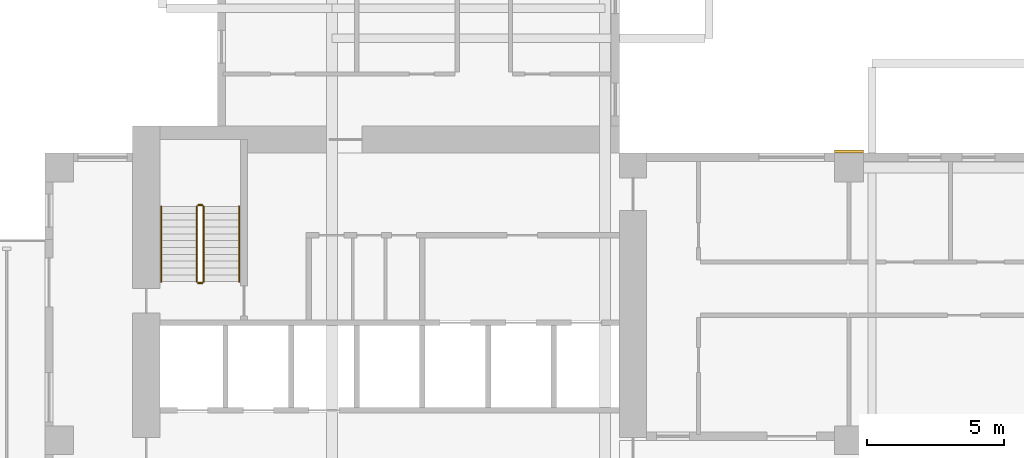
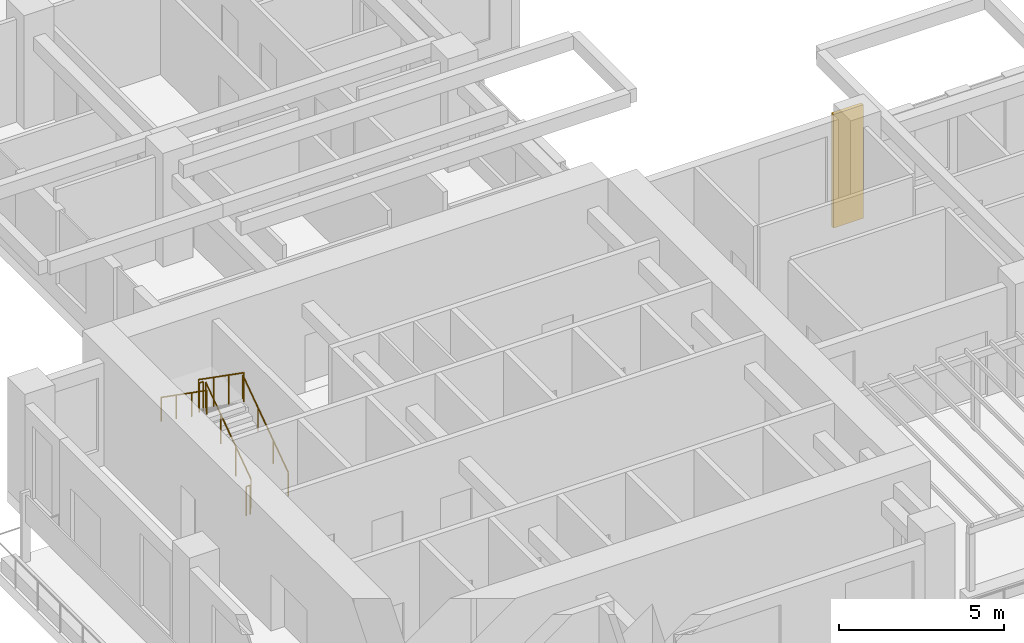
# One storey, part 12 of 15: 6 railings, 1 covering.
"""IFC4 building model written with IfcOpenShell, lengths in metres."""

import ifcopenshell
import ifcopenshell.guid

model = None  # the IFC model being written
_history = None  # IfcOwnerHistory: only IFC2X3 demands one
_inside = {}  # id of a spatial element -> (the spatial element, [elements in it])
_under = {}  # id of a project, library or spatial element -> (it, [spatial elements below it])
_declared = {}  # id of a project -> (the project, [libraries it declares])
_typed = {}  # id of a type object -> (the type object, [elements of that type])
_made_of = {}  # id of a material, layer set ... -> (it, [elements and type objects made of it])


def new_model(schema):
    """Start an empty IFC model of exactly this schema.

    Asked for "IFC4X3", IfcOpenShell would pick the latest addendum, in which some entities
    have other attributes; the version numbers below select the first issue.
    IFC2X3 requires an IfcOwnerHistory on every rooted entity: one is made here for all.
    """
    global model, _history
    if schema == "IFC4X3":
        model = ifcopenshell.file(schema_version=(4, 3, 0, 0))
    else:
        model = ifcopenshell.file(schema=schema)
    _inside.clear()
    _under.clear()
    _declared.clear()
    _typed.clear()
    _made_of.clear()
    _history = None
    if model.schema == "IFC2X3":
        org = make("IfcOrganization", Name="unknown")
        user = make(
            "IfcPersonAndOrganization",
            ThePerson=make("IfcPerson", FamilyName="unknown"),
            TheOrganization=org,
        )
        app = make(
            "IfcApplication",
            ApplicationDeveloper=org,
            Version="unknown",
            ApplicationFullName="unknown",
            ApplicationIdentifier="unknown",
        )
        _history = make(
            "IfcOwnerHistory",
            OwningUser=user,
            OwningApplication=app,
            ChangeAction="ADDED",
            CreationDate=0,
        )
    return model


def make(cls, **values):
    """One entity of the class cls with the attributes given. An attribute that is None is left unset."""
    return model.create_entity(
        cls, **{name: value for name, value in values.items() if value is not None}
    )


def rooted(cls, **values):
    """An entity with a GlobalId (a new one), such as an element, a storey or a relation."""
    return make(cls, GlobalId=ifcopenshell.guid.new(), OwnerHistory=_history, **values)


def si_unit(unit_type, name, prefix=None):
    """IfcSIUnit, for example si_unit("LENGTHUNIT", "METRE", prefix="MILLI")."""
    return make("IfcSIUnit", UnitType=unit_type, Prefix=prefix, Name=name)


def assignment(units):
    """IfcUnitAssignment: the units of a project."""
    return None if units is None else make("IfcUnitAssignment", Units=units)


def point(xyz):
    """IfcCartesianPoint."""
    return None if xyz is None else make("IfcCartesianPoint", Coordinates=xyz)


def direction(xyz):
    """IfcDirection."""
    return None if xyz is None else make("IfcDirection", DirectionRatios=xyz)


def frame(location, z_axis=None, x_axis=None):
    """IfcAxis2Placement3D, a coordinate frame: its origin and axes. An axis left out is left unset."""
    return make(
        "IfcAxis2Placement3D",
        Location=point(location),
        Axis=direction(z_axis),
        RefDirection=direction(x_axis),
    )


def frame_2d(location, x_axis=None):
    """IfcAxis2Placement2D, a coordinate frame in the plane: its origin and x axis."""
    return make(
        "IfcAxis2Placement2D", Location=point(location), RefDirection=direction(x_axis)
    )


def origin():
    """The frame at (0, 0, 0) with its axes left unset."""
    return frame((0.0, 0.0, 0.0))


def origin_2d():
    """The frame at (0, 0) in the plane with its x axis left unset."""
    return frame_2d((0.0, 0.0))


def place(relative_to, where):
    """IfcLocalPlacement: puts the frame where relative to a parent placement (None: the world)."""
    return make(
        "IfcLocalPlacement", PlacementRelTo=relative_to, RelativePlacement=where
    )


def context(
    kind, dimensions, precision=None, world=None, true_north=None, identifier=None
):
    """IfcGeometricRepresentationContext, for example the 3D "Model" context."""
    return make(
        "IfcGeometricRepresentationContext",
        ContextIdentifier=identifier,
        ContextType=kind,
        CoordinateSpaceDimension=dimensions,
        Precision=precision,
        WorldCoordinateSystem=world,
        TrueNorth=true_north,
    )


def subcontext(parent, identifier, kind, view, scale=None):
    """IfcGeometricRepresentationSubContext, for example "Body" below "Model"."""
    return make(
        "IfcGeometricRepresentationSubContext",
        ContextIdentifier=identifier,
        ContextType=kind,
        ParentContext=parent,
        TargetScale=scale,
        TargetView=view,
    )


def project(units=None, contexts=None):
    """IfcProject with its units and contexts."""
    return rooted(
        "IfcProject",
        Name="project",
        RepresentationContexts=contexts,
        UnitsInContext=assignment(units),
    )


def spatial(cls, under=None, at=None, **own):
    """A site, building, storey or space (cls), placed at a placement, below another one or the project."""
    s = rooted(cls, ObjectPlacement=at, **own)
    if under is not None:
        _under.setdefault(under.id(), (under, []))[1].append(s)
    return s


def profile(cls, at=None, kind="AREA", **sizes):
    """A parametric profile (cls). Its sizes go by their IFC names, for example OverallWidth=200.0."""
    return make(cls, ProfileType=kind, Position=at, **sizes)


def rectangle(**sizes):
    """IfcRectangleProfileDef."""
    return profile("IfcRectangleProfileDef", **sizes)


def circle(**sizes):
    """IfcCircleProfileDef."""
    return profile("IfcCircleProfileDef", **sizes)


def extrude(swept, where, along, depth):
    """IfcExtrudedAreaSolid: the profile swept, set in the frame where, extruded along a direction by depth."""
    return make(
        "IfcExtrudedAreaSolid",
        SweptArea=swept,
        Position=where,
        ExtrudedDirection=direction(along),
        Depth=depth,
    )


def shape(context_of_items, identifier, shape_type, items):
    """IfcShapeRepresentation: the items that make up one representation, for example the "Body"."""
    return make(
        "IfcShapeRepresentation",
        ContextOfItems=context_of_items,
        RepresentationIdentifier=identifier,
        RepresentationType=shape_type,
        Items=items,
    )


def source(mapping_origin, context_of_items, identifier, shape_type, items):
    """IfcRepresentationMap: a shape defined once, which mapped items show again and again."""
    return make(
        "IfcRepresentationMap",
        MappingOrigin=mapping_origin,
        MappedRepresentation=shape(context_of_items, identifier, shape_type, items),
    )


def transform(
    local_origin,
    x_axis=None,
    y_axis=None,
    z_axis=None,
    scale=None,
    scale2=None,
    scale3=None,
    uniform=True,
):
    """IfcCartesianTransformationOperator3D, or its non-uniform kind. x_axis, y_axis, z_axis: its Axis1, 2, 3."""
    if uniform:
        return make(
            "IfcCartesianTransformationOperator3D",
            Axis1=direction(x_axis),
            Axis2=direction(y_axis),
            LocalOrigin=point(local_origin),
            Scale=scale,
            Axis3=direction(z_axis),
        )
    return make(
        "IfcCartesianTransformationOperator3DnonUniform",
        Axis1=direction(x_axis),
        Axis2=direction(y_axis),
        LocalOrigin=point(local_origin),
        Scale=scale,
        Axis3=direction(z_axis),
        Scale2=scale2,
        Scale3=scale3,
    )


def mapped(mapping_source, mapping_target):
    """IfcMappedItem: shows the shape of a source again, moved by a transform."""
    return make(
        "IfcMappedItem", MappingSource=mapping_source, MappingTarget=mapping_target
    )


def material(Name=None, Category=None):
    """IfcMaterial."""
    return make("IfcMaterial", Name=Name, Category=Category)


def made_of(thing, what):
    """Note that an element or type object is made of a material, layer set ...; save() writes the relation."""
    if what is not None:
        _made_of.setdefault(what.id(), (what, []))[1].append(thing)
    return thing


def type_object(cls, material=None, **own):
    """A type object (cls), such as IfcWallType, which elements share."""
    return made_of(rooted(cls, **own), material)


def element(
    cls,
    number,
    at=None,
    inside=None,
    cuts=None,
    type_object=None,
    material=None,
    context=None,
    identifier="Body",
    shape_type=None,
    held_by="IfcProductDefinitionShape",
    body=None,
    shapes=None,
    **own,
):
    """One element of the class cls, such as IfcWall. Its Tag is "e" and its number.

    at: its placement. inside: the storey or other place that contains it. cuts: it is an
    opening in that element (IfcRelVoidsElement). A single representation is given by context,
    identifier, shape_type and body (its items); several are given by shapes. held_by: the class
    of the entity that holds the representations. save() writes the other relations.
    """
    e = rooted(cls, Tag="e%d" % number, ObjectPlacement=at, **own)
    if body is not None:
        shapes = [shape(context, identifier, shape_type, body)]
    if shapes is not None:
        e.Representation = make(held_by, Representations=shapes)
    if inside is not None:
        _inside.setdefault(inside.id(), (inside, []))[1].append(e)
    if cuts is not None:
        rooted(
            "IfcRelVoidsElement", RelatingBuildingElement=cuts, RelatedOpeningElement=e
        )
    if type_object is not None:
        _typed.setdefault(type_object.id(), (type_object, []))[1].append(e)
    return made_of(e, material)


def aggregate(whole, parts):
    """IfcRelAggregates: a whole, such as a stair, and the parts it consists of."""
    return rooted("IfcRelAggregates", RelatingObject=whole, RelatedObjects=parts)


def save(model, path):
    """Write the relations noted so far, then the file.

    IfcRelAggregates (storeys below a building ...), IfcRelContainedInSpatialStructure (elements
    in a storey), IfcRelDefinesByType, IfcRelAssociatesMaterial and IfcRelDeclares: one each for
    every whole, place, type object, material and project.
    """
    for whole, parts in _under.values():
        aggregate(whole, parts)
    for where, things in _inside.values():
        rooted(
            "IfcRelContainedInSpatialStructure",
            RelatedElements=things,
            RelatingStructure=where,
        )
    for kind, things in _typed.values():
        rooted("IfcRelDefinesByType", RelatedObjects=things, RelatingType=kind)
    for what, things in _made_of.values():
        rooted("IfcRelAssociatesMaterial", RelatedObjects=things, RelatingMaterial=what)
    for by, libraries in _declared.values():
        rooted("IfcRelDeclares", RelatingContext=by, RelatedDefinitions=libraries)
    model.write(path)


model = new_model("IFC4")

# Units and contexts
model_context = context("Model", 3, precision=1e-05, world=origin(), true_north=direction((0.0, 1.0)))
body_context = subcontext(model_context, "Body", "Model", "MODEL_VIEW")
ifc_project = project(units=[si_unit("LENGTHUNIT", "METRE"), si_unit("AREAUNIT", "SQUARE_METRE"), si_unit("VOLUMEUNIT", "CUBIC_METRE"), si_unit("PLANEANGLEUNIT", "RADIAN"), si_unit("MASSUNIT", "GRAM", prefix="KILO")], contexts=[model_context])

# Site, building, storey
site_placement = place(None, origin())
site = spatial("IfcSite", under=ifc_project, at=site_placement, CompositionType="ELEMENT")
building_placement = place(site_placement, origin())
building = spatial("IfcBuilding", under=site, at=building_placement, Name="Aurelian Terraces", CompositionType="ELEMENT")
storey_placement = place(building_placement, frame((0.0, 0.0, 145.5)))
storey = spatial("IfcBuildingStorey", under=building, at=storey_placement, Name="L32", CompositionType="ELEMENT", Elevation=145.5)

# Covering
ifc_material_1 = material(Name="Terracotta rainscreen cladding relief", Category="masonry")
covering_type = type_object("IfcCoveringType", Name="BAGUETTE-TC", PredefinedType="CLADDING", material=ifc_material_1)
shared_shape_1 = source(origin(), body_context, "Body", "SweptSolid", [
    extrude(rectangle(XDim=1.05, YDim=0.12, at=origin_2d()), origin(), (0.0, 0.0, 1.0), 4.2),
])
covering_placement = place(storey_placement, frame((29.4, 21.06, -0.4), z_axis=(0.0, 0.0, 1.0), x_axis=(1.0, 0.0, 0.0)))
element("IfcCovering", 1, at=covering_placement, inside=storey, type_object=covering_type, Name="BAGUETTE pier L32 5", PredefinedType="CLADDING", context=body_context, shape_type="MappedRepresentation", body=[
    mapped(shared_shape_1, transform((0.0, 0.0, 0.0), scale=1.0)),
])

# Railings
ifc_material_2 = material(Name="Stainless steel", Category="steel")
railing_type_1 = type_object("IfcRailingType", Name="Stair guard 1100", PredefinedType="GUARDRAIL", material=ifc_material_2)
shared_shape_2 = source(origin(), body_context, "Body", "SweptSolid", [
    extrude(circle(Radius=0.024, at=origin_2d()), frame((0.0, 0.0, 1.076), z_axis=(-1.0, 0.0, 0.0), x_axis=(0.0, -1.0, 0.0)), (0.0, 0.0, 1.0), 0.15),
    extrude(circle(Radius=0.021, at=origin_2d()), origin(), (0.0, 0.0, 1.0), 1.052),
    extrude(circle(Radius=0.021, at=origin_2d()), frame((-0.15, 0.0, 0.0)), (0.0, 0.0, 1.0), 1.052),
])
for number, where, name in (
    (2, (5.75, 19.1, 2.1), "L32 S1 stair guard 2"),
    (3, (5.75, 16.25, 0.0), "L32 S1 stair guard 4"),
):
    element("IfcRailing", number, at=place(storey_placement, frame(where)), inside=storey, type_object=railing_type_1, Name=name, PredefinedType="GUARDRAIL", context=body_context, shape_type="MappedRepresentation", body=[
        mapped(shared_shape_2, transform((0.0, 0.0, 0.0), scale=1.0)),
    ])
shared_shape_3 = source(origin(), body_context, "Body", "SweptSolid", [
    extrude(circle(Radius=0.024, at=origin_2d()), frame((0.0, 0.0, 1.076), z_axis=(0.0, 0.819231920519, 0.573462344363), x_axis=(-1.0, 0.0, 0.0)), (0.0, 0.0, 1.0), 3.3568),
    extrude(circle(Radius=0.021, at=origin_2d()), origin(), (0.0, 0.0, 1.0), 1.052),
    extrude(circle(Radius=0.021, at=origin_2d()), frame((0.0, 0.9167, 0.6417)), (0.0, 0.0, 1.0), 1.052),
    extrude(circle(Radius=0.021, at=origin_2d()), frame((0.0, 1.8333, 1.2833)), (0.0, 0.0, 1.0), 1.052),
    extrude(circle(Radius=0.021, at=origin_2d()), frame((0.0, 2.75, 1.925)), (0.0, 0.0, 1.0), 1.052),
])
railing_1_placement = place(storey_placement, frame((5.8, 16.3, 0.175)))
element("IfcRailing", 4, at=railing_1_placement, inside=storey, type_object=railing_type_1, Name="L32 S1 stair guard 1", PredefinedType="GUARDRAIL", context=body_context, shape_type="MappedRepresentation", body=[
    mapped(shared_shape_3, transform((0.0, 0.0, 0.0), scale=1.0)),
])
shared_shape_4 = source(origin(), body_context, "Body", "SweptSolid", [
    extrude(circle(Radius=0.024, at=origin_2d()), frame((0.0, 0.0, 1.076), z_axis=(0.0, -0.819231920519, 0.573462344363), x_axis=(1.0, 0.0, 0.0)), (0.0, 0.0, 1.0), 3.3568),
    extrude(circle(Radius=0.021, at=origin_2d()), origin(), (0.0, 0.0, 1.0), 1.052),
    extrude(circle(Radius=0.021, at=origin_2d()), frame((0.0, -0.9167, 0.6417)), (0.0, 0.0, 1.0), 1.052),
    extrude(circle(Radius=0.021, at=origin_2d()), frame((0.0, -1.8333, 1.2833)), (0.0, 0.0, 1.0), 1.052),
    extrude(circle(Radius=0.021, at=origin_2d()), frame((0.0, -2.75, 1.925)), (0.0, 0.0, 1.0), 1.052),
])
railing_2_placement = place(storey_placement, frame((5.55, 19.05, 2.275)))
element("IfcRailing", 5, at=railing_2_placement, inside=storey, type_object=railing_type_1, Name="L32 S1 stair guard 3", PredefinedType="GUARDRAIL", context=body_context, shape_type="MappedRepresentation", body=[
    mapped(shared_shape_4, transform((0.0, 0.0, 0.0), scale=1.0)),
])
railing_type_2 = type_object("IfcRailingType", Name="Stair handrail", PredefinedType="HANDRAIL", material=ifc_material_2)
shared_shape_5 = source(origin(), body_context, "Body", "SweptSolid", [
    extrude(circle(Radius=0.024, at=origin_2d()), frame((0.0, 0.0, 0.876), z_axis=(0.0, 0.819231920519, 0.573462344363), x_axis=(-1.0, 0.0, 0.0)), (0.0, 0.0, 1.0), 3.3568),
    extrude(circle(Radius=0.021, at=origin_2d()), origin(), (0.0, 0.0, 1.0), 0.852),
    extrude(circle(Radius=0.021, at=origin_2d()), frame((0.0, 0.9167, 0.6417)), (0.0, 0.0, 1.0), 0.852),
    extrude(circle(Radius=0.021, at=origin_2d()), frame((0.0, 1.8333, 1.2833)), (0.0, 0.0, 1.0), 0.852),
    extrude(circle(Radius=0.021, at=origin_2d()), frame((0.0, 2.75, 1.925)), (0.0, 0.0, 1.0), 0.852),
])
railing_3_placement = place(storey_placement, frame((7.1, 16.3, 0.175)))
element("IfcRailing", 6, at=railing_3_placement, inside=storey, type_object=railing_type_2, Name="L32 S1 stair handrail 1", PredefinedType="HANDRAIL", context=body_context, shape_type="MappedRepresentation", body=[
    mapped(shared_shape_5, transform((0.0, 0.0, 0.0), scale=1.0)),
])
shared_shape_6 = source(origin(), body_context, "Body", "SweptSolid", [
    extrude(circle(Radius=0.024, at=origin_2d()), frame((0.0, 0.0, 0.876), z_axis=(0.0, -0.819231920519, 0.573462344363), x_axis=(1.0, 0.0, 0.0)), (0.0, 0.0, 1.0), 3.3568),
    extrude(circle(Radius=0.021, at=origin_2d()), origin(), (0.0, 0.0, 1.0), 0.852),
    extrude(circle(Radius=0.021, at=origin_2d()), frame((0.0, -0.9167, 0.6417)), (0.0, 0.0, 1.0), 0.852),
    extrude(circle(Radius=0.021, at=origin_2d()), frame((0.0, -1.8333, 1.2833)), (0.0, 0.0, 1.0), 0.852),
    extrude(circle(Radius=0.021, at=origin_2d()), frame((0.0, -2.75, 1.925)), (0.0, 0.0, 1.0), 0.852),
])
railing_4_placement = place(storey_placement, frame((4.25, 19.05, 2.275)))
element("IfcRailing", 7, at=railing_4_placement, inside=storey, type_object=railing_type_2, Name="L32 S1 stair handrail 2", PredefinedType="HANDRAIL", context=body_context, shape_type="MappedRepresentation", body=[
    mapped(shared_shape_6, transform((0.0, 0.0, 0.0), scale=1.0)),
])

save(model, "model.ifc")
